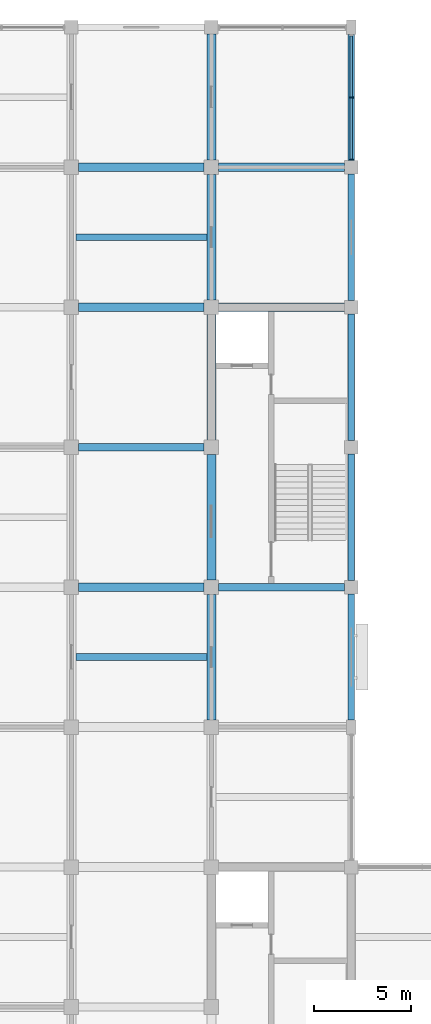
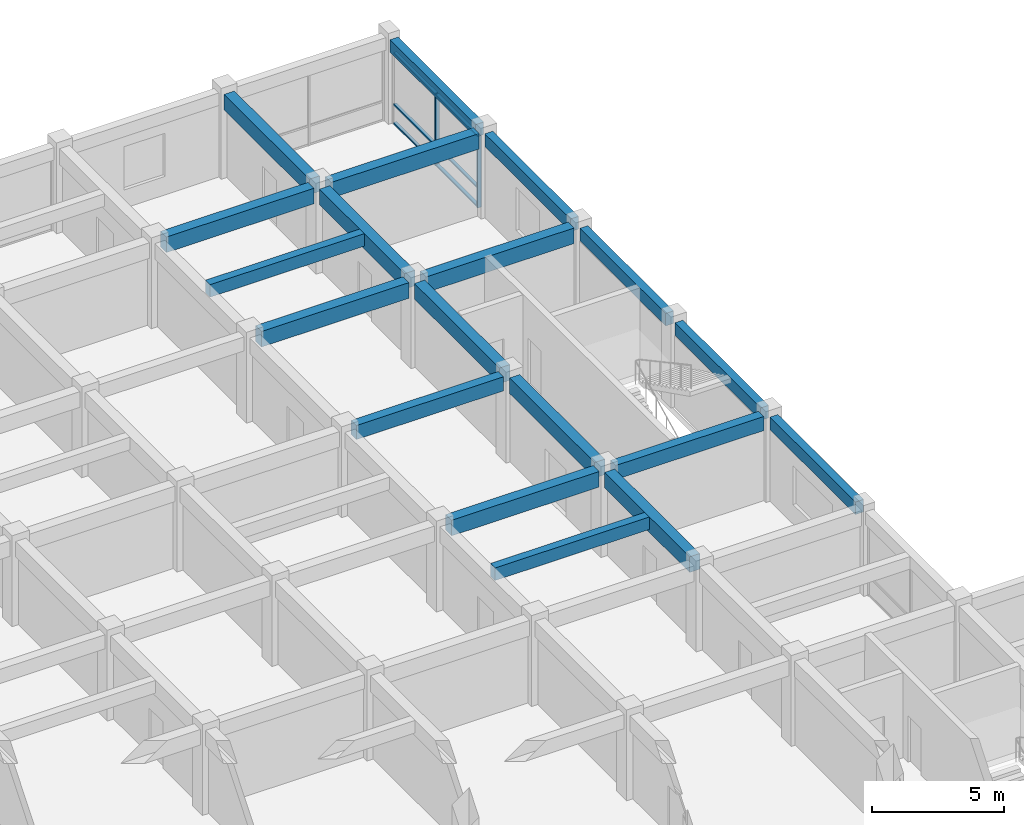
# One storey, part 11 of 31: 19 beams, 8 members, 1 element without a shape of its own.
"""IFC4 building model written with IfcOpenShell, lengths in metres."""

import ifcopenshell
import ifcopenshell.guid

model = None  # the IFC model being written
_history = None  # IfcOwnerHistory: only IFC2X3 demands one
_inside = {}  # id of a spatial element -> (the spatial element, [elements in it])
_under = {}  # id of a project, library or spatial element -> (it, [spatial elements below it])
_declared = {}  # id of a project -> (the project, [libraries it declares])
_typed = {}  # id of a type object -> (the type object, [elements of that type])
_made_of = {}  # id of a material, layer set ... -> (it, [elements and type objects made of it])


def new_model(schema):
    """Start an empty IFC model of exactly this schema.

    Asked for "IFC4X3", IfcOpenShell would pick the latest addendum, in which some entities
    have other attributes; the version numbers below select the first issue.
    IFC2X3 requires an IfcOwnerHistory on every rooted entity: one is made here for all.
    """
    global model, _history
    if schema == "IFC4X3":
        model = ifcopenshell.file(schema_version=(4, 3, 0, 0))
    else:
        model = ifcopenshell.file(schema=schema)
    _inside.clear()
    _under.clear()
    _declared.clear()
    _typed.clear()
    _made_of.clear()
    _history = None
    if model.schema == "IFC2X3":
        org = make("IfcOrganization", Name="unknown")
        user = make(
            "IfcPersonAndOrganization",
            ThePerson=make("IfcPerson", FamilyName="unknown"),
            TheOrganization=org,
        )
        app = make(
            "IfcApplication",
            ApplicationDeveloper=org,
            Version="unknown",
            ApplicationFullName="unknown",
            ApplicationIdentifier="unknown",
        )
        _history = make(
            "IfcOwnerHistory",
            OwningUser=user,
            OwningApplication=app,
            ChangeAction="ADDED",
            CreationDate=0,
        )
    return model


def make(cls, **values):
    """One entity of the class cls with the attributes given. An attribute that is None is left unset."""
    return model.create_entity(
        cls, **{name: value for name, value in values.items() if value is not None}
    )


def rooted(cls, **values):
    """An entity with a GlobalId (a new one), such as an element, a storey or a relation."""
    return make(cls, GlobalId=ifcopenshell.guid.new(), OwnerHistory=_history, **values)


def si_unit(unit_type, name, prefix=None):
    """IfcSIUnit, for example si_unit("LENGTHUNIT", "METRE", prefix="MILLI")."""
    return make("IfcSIUnit", UnitType=unit_type, Prefix=prefix, Name=name)


def assignment(units):
    """IfcUnitAssignment: the units of a project."""
    return None if units is None else make("IfcUnitAssignment", Units=units)


def point(xyz):
    """IfcCartesianPoint."""
    return None if xyz is None else make("IfcCartesianPoint", Coordinates=xyz)


def direction(xyz):
    """IfcDirection."""
    return None if xyz is None else make("IfcDirection", DirectionRatios=xyz)


def frame(location, z_axis=None, x_axis=None):
    """IfcAxis2Placement3D, a coordinate frame: its origin and axes. An axis left out is left unset."""
    return make(
        "IfcAxis2Placement3D",
        Location=point(location),
        Axis=direction(z_axis),
        RefDirection=direction(x_axis),
    )


def frame_2d(location, x_axis=None):
    """IfcAxis2Placement2D, a coordinate frame in the plane: its origin and x axis."""
    return make(
        "IfcAxis2Placement2D", Location=point(location), RefDirection=direction(x_axis)
    )


def origin():
    """The frame at (0, 0, 0) with its axes left unset."""
    return frame((0.0, 0.0, 0.0))


def origin_2d():
    """The frame at (0, 0) in the plane with its x axis left unset."""
    return frame_2d((0.0, 0.0))


def place(relative_to, where):
    """IfcLocalPlacement: puts the frame where relative to a parent placement (None: the world)."""
    return make(
        "IfcLocalPlacement", PlacementRelTo=relative_to, RelativePlacement=where
    )


def context(
    kind, dimensions, precision=None, world=None, true_north=None, identifier=None
):
    """IfcGeometricRepresentationContext, for example the 3D "Model" context."""
    return make(
        "IfcGeometricRepresentationContext",
        ContextIdentifier=identifier,
        ContextType=kind,
        CoordinateSpaceDimension=dimensions,
        Precision=precision,
        WorldCoordinateSystem=world,
        TrueNorth=true_north,
    )


def subcontext(parent, identifier, kind, view, scale=None):
    """IfcGeometricRepresentationSubContext, for example "Body" below "Model"."""
    return make(
        "IfcGeometricRepresentationSubContext",
        ContextIdentifier=identifier,
        ContextType=kind,
        ParentContext=parent,
        TargetScale=scale,
        TargetView=view,
    )


def project(units=None, contexts=None):
    """IfcProject with its units and contexts."""
    return rooted(
        "IfcProject",
        Name="project",
        RepresentationContexts=contexts,
        UnitsInContext=assignment(units),
    )


def spatial(cls, under=None, at=None, **own):
    """A site, building, storey or space (cls), placed at a placement, below another one or the project."""
    s = rooted(cls, ObjectPlacement=at, **own)
    if under is not None:
        _under.setdefault(under.id(), (under, []))[1].append(s)
    return s


def profile(cls, at=None, kind="AREA", **sizes):
    """A parametric profile (cls). Its sizes go by their IFC names, for example OverallWidth=200.0."""
    return make(cls, ProfileType=kind, Position=at, **sizes)


def rectangle(**sizes):
    """IfcRectangleProfileDef."""
    return profile("IfcRectangleProfileDef", **sizes)


def extrude(swept, where, along, depth):
    """IfcExtrudedAreaSolid: the profile swept, set in the frame where, extruded along a direction by depth."""
    return make(
        "IfcExtrudedAreaSolid",
        SweptArea=swept,
        Position=where,
        ExtrudedDirection=direction(along),
        Depth=depth,
    )


def shape(context_of_items, identifier, shape_type, items):
    """IfcShapeRepresentation: the items that make up one representation, for example the "Body"."""
    return make(
        "IfcShapeRepresentation",
        ContextOfItems=context_of_items,
        RepresentationIdentifier=identifier,
        RepresentationType=shape_type,
        Items=items,
    )


def material(Name=None, Category=None):
    """IfcMaterial."""
    return make("IfcMaterial", Name=Name, Category=Category)


def layer(
    of_material, thickness, ventilated=None, Name=None, Category=None, Priority=None
):
    """IfcMaterialLayer: one layer of a wall or slab, of a material (None: an air gap)."""
    return make(
        "IfcMaterialLayer",
        Material=of_material,
        LayerThickness=thickness,
        IsVentilated=ventilated,
        Name=Name,
        Category=Category,
        Priority=Priority,
    )


def layer_set(layers, Name=None):
    """IfcMaterialLayerSet."""
    return make("IfcMaterialLayerSet", MaterialLayers=layers, LayerSetName=Name)


def material_profile(
    of_material, cross_section, Name=None, Category=None, Priority=None
):
    """IfcMaterialProfile: a cross section and its material."""
    return make(
        "IfcMaterialProfile",
        Name=Name,
        Material=of_material,
        Profile=cross_section,
        Priority=Priority,
        Category=Category,
    )


def profile_set(profiles, Name=None, composite=None):
    """IfcMaterialProfileSet."""
    return make(
        "IfcMaterialProfileSet",
        Name=Name,
        MaterialProfiles=profiles,
        CompositeProfile=composite,
    )


def made_of(thing, what):
    """Note that an element or type object is made of a material, layer set ...; save() writes the relation."""
    if what is not None:
        _made_of.setdefault(what.id(), (what, []))[1].append(thing)
    return thing


def type_object(cls, material=None, **own):
    """A type object (cls), such as IfcWallType, which elements share."""
    return made_of(rooted(cls, **own), material)


def element(
    cls,
    number,
    at=None,
    inside=None,
    cuts=None,
    type_object=None,
    material=None,
    context=None,
    identifier="Body",
    shape_type=None,
    held_by="IfcProductDefinitionShape",
    body=None,
    shapes=None,
    **own,
):
    """One element of the class cls, such as IfcWall. Its Tag is "e" and its number.

    at: its placement. inside: the storey or other place that contains it. cuts: it is an
    opening in that element (IfcRelVoidsElement). A single representation is given by context,
    identifier, shape_type and body (its items); several are given by shapes. held_by: the class
    of the entity that holds the representations. save() writes the other relations.
    """
    e = rooted(cls, Tag="e%d" % number, ObjectPlacement=at, **own)
    if body is not None:
        shapes = [shape(context, identifier, shape_type, body)]
    if shapes is not None:
        e.Representation = make(held_by, Representations=shapes)
    if inside is not None:
        _inside.setdefault(inside.id(), (inside, []))[1].append(e)
    if cuts is not None:
        rooted(
            "IfcRelVoidsElement", RelatingBuildingElement=cuts, RelatedOpeningElement=e
        )
    if type_object is not None:
        _typed.setdefault(type_object.id(), (type_object, []))[1].append(e)
    return made_of(e, material)


def aggregate(whole, parts):
    """IfcRelAggregates: a whole, such as a stair, and the parts it consists of."""
    return rooted("IfcRelAggregates", RelatingObject=whole, RelatedObjects=parts)


def save(model, path):
    """Write the relations noted so far, then the file.

    IfcRelAggregates (storeys below a building ...), IfcRelContainedInSpatialStructure (elements
    in a storey), IfcRelDefinesByType, IfcRelAssociatesMaterial and IfcRelDeclares: one each for
    every whole, place, type object, material and project.
    """
    for whole, parts in _under.values():
        aggregate(whole, parts)
    for where, things in _inside.values():
        rooted(
            "IfcRelContainedInSpatialStructure",
            RelatedElements=things,
            RelatingStructure=where,
        )
    for kind, things in _typed.values():
        rooted("IfcRelDefinesByType", RelatedObjects=things, RelatingType=kind)
    for what, things in _made_of.values():
        rooted("IfcRelAssociatesMaterial", RelatedObjects=things, RelatingMaterial=what)
    for by, libraries in _declared.values():
        rooted("IfcRelDeclares", RelatingContext=by, RelatedDefinitions=libraries)
    model.write(path)


model = new_model("IFC4")

# Units and contexts
model_context = context("Model", 3, precision=1e-05, world=origin(), true_north=direction((0.0, 1.0)))
body_context = subcontext(model_context, "Body", "Model", "MODEL_VIEW")
ifc_project = project(units=[si_unit("LENGTHUNIT", "METRE"), si_unit("AREAUNIT", "SQUARE_METRE"), si_unit("VOLUMEUNIT", "CUBIC_METRE"), si_unit("PLANEANGLEUNIT", "RADIAN"), si_unit("MASSUNIT", "GRAM", prefix="KILO")], contexts=[model_context])

# Site, building, storey
site_placement = place(None, origin())
site = spatial("IfcSite", under=ifc_project, at=site_placement, CompositionType="ELEMENT")
building_placement = place(site_placement, origin())
building = spatial("IfcBuilding", under=site, at=building_placement, Name="Cendaluz Park School", CompositionType="ELEMENT")
storey_placement = place(building_placement, frame((0.0, 0.0, 14.39990234375)))
storey = spatial("IfcBuildingStorey", under=building, at=storey_placement, Name="L03", CompositionType="ELEMENT", Elevation=14.39990234375)

# Beams
ifc_material_1 = material(Name="Concrete C40/50", Category="concrete")
ifc_material_profile_1 = material_profile(ifc_material_1, rectangle(XDim=0.449951171875, YDim=0.719970703125, at=origin_2d()), Name="RC 450x720", Category="concrete")
ifc_profile_set_1 = profile_set([ifc_material_profile_1], Name="Concrete C40/50")
beam_type_1 = type_object("IfcBeamType", Name="BM-RC02", PredefinedType="BEAM", material=ifc_profile_set_1)
for number, where, z_axis, x_axis, name in (
    (1, (93.97509765625, 43.199951171875, 3.530029296875), (1.0, 0.0, 0.0), (0.0, 1.0, 0.0), "BM-L03-BMRC02-0071"),
    (2, (93.97509765625, 57.60009765625, 3.530029296875), (1.0, 0.0, 0.0), (0.0, 1.0, 0.0), "BM-L03-BMRC02-0073"),
    (3, (93.97509765625, 64.800048828125, 3.530029296875), (1.0, 0.0, 0.0), (0.0, 1.0, 0.0), "BM-L03-BMRC02-0074"),
):
    element("IfcBeam", number, at=place(storey_placement, frame(where, z_axis=z_axis, x_axis=x_axis)), inside=storey, type_object=beam_type_1, Name=name, PredefinedType="BEAM", context=body_context, shape_type="SweptSolid", body=[
        extrude(rectangle(XDim=0.449951171875, YDim=0.719970703125, at=origin_2d()), origin(), (0.0, 0.0, 1.0), 6.449951171875),
    ])
for number, where, z_axis, x_axis, name in (
    (4, (101.175048828125, 57.60009765625, 3.530029296875), (1.0, 0.0, 0.0), (0.0, 1.0, 0.0), "BM-L03-BMRC02-0081"),
    (5, (101.175048828125, 64.800048828125, 3.530029296875), (1.0, 0.0, 0.0), (0.0, 1.0, 0.0), "BM-L03-BMRC02-0082"),
):
    element("IfcBeam", number, at=place(storey_placement, frame(where, z_axis=z_axis, x_axis=x_axis)), inside=storey, type_object=beam_type_1, Name=name, PredefinedType="BEAM", context=body_context, shape_type="SweptSolid", body=[
        extrude(rectangle(XDim=0.449951171875, YDim=0.719970703125, at=origin_2d()), origin(), (0.0, 0.0, 1.0), 6.474853515625),
    ])
for number, where, z_axis, x_axis, name in (
    (6, (100.800048828125, 36.375, 3.530029296875), (0.0, 1.0, 0.0), (-1.0, 0.0, 0.0), "BM-L03-BMRC02-0181"),
    (7, (100.800048828125, 43.574951171875, 3.530029296875), (0.0, 1.0, 0.0), (-1.0, 0.0, 0.0), "BM-L03-BMRC02-0182"),
):
    element("IfcBeam", number, at=place(storey_placement, frame(where, z_axis=z_axis, x_axis=x_axis)), inside=storey, type_object=beam_type_1, Name=name, PredefinedType="BEAM", context=body_context, shape_type="SweptSolid", body=[
        extrude(rectangle(XDim=0.449951171875, YDim=0.719970703125, at=origin_2d()), origin(), (0.0, 0.0, 1.0), 6.449951171875),
    ])
beam_1_placement = place(storey_placement, frame((100.800048828125, 50.77490234375, 3.530029296875), z_axis=(0.0, 1.0, 0.0), x_axis=(-1.0, 0.0, 0.0)))
element("IfcBeam", 8, at=beam_1_placement, inside=storey, type_object=beam_type_1, Name="BM-L03-BMRC02-0183", PredefinedType="BEAM", context=body_context, shape_type="SweptSolid", body=[
    extrude(rectangle(XDim=0.449951171875, YDim=0.719970703125, at=origin_2d()), origin(), (0.0, 0.0, 1.0), 6.4501953125),
])
beam_2_placement = place(storey_placement, frame((100.800048828125, 57.97509765625, 3.530029296875), z_axis=(0.0, 1.0, 0.0), x_axis=(-1.0, 0.0, 0.0)))
element("IfcBeam", 9, at=beam_2_placement, inside=storey, type_object=beam_type_1, Name="BM-L03-BMRC02-0184", PredefinedType="BEAM", context=body_context, shape_type="SweptSolid", body=[
    extrude(rectangle(XDim=0.449951171875, YDim=0.719970703125, at=origin_2d()), origin(), (0.0, 0.0, 1.0), 6.449951171875),
])
beam_3_placement = place(storey_placement, frame((100.800048828125, 65.175048828125, 3.530029296875), z_axis=(0.0, 1.0, 0.0), x_axis=(-1.0, 0.0, 0.0)))
element("IfcBeam", 10, at=beam_3_placement, inside=storey, type_object=beam_type_1, Name="BM-L03-BMRC02-0185", PredefinedType="BEAM", context=body_context, shape_type="SweptSolid", body=[
    extrude(rectangle(XDim=0.449951171875, YDim=0.719970703125, at=origin_2d()), origin(), (0.0, 0.0, 1.0), 6.474853515625),
])
ifc_material_profile_2 = material_profile(ifc_material_1, rectangle(XDim=0.39990234375, YDim=0.64990234375, at=origin_2d()), Name="RC 400x650", Category="concrete")
ifc_profile_set_2 = profile_set([ifc_material_profile_2], Name="Concrete C40/50")
beam_type_2 = type_object("IfcBeamType", Name="BM-RC03", PredefinedType="T_BEAM", material=ifc_profile_set_2)
beam_4_placement = place(storey_placement, frame((93.97509765625, 50.39990234375, 3.565185546875), z_axis=(1.0, 0.0, 0.0), x_axis=(0.0, 1.0, 0.0)))
element("IfcBeam", 11, at=beam_4_placement, inside=storey, type_object=beam_type_2, Name="BM-L03-BMRC03-0072", PredefinedType="T_BEAM", context=body_context, shape_type="SweptSolid", body=[
    extrude(rectangle(XDim=0.39990234375, YDim=0.64990234375, at=origin_2d()), origin(), (0.0, 0.0, 1.0), 6.449951171875),
])
beam_5_placement = place(storey_placement, frame((101.175048828125, 43.199951171875, 3.565185546875), z_axis=(1.0, 0.0, 0.0), x_axis=(0.0, 1.0, 0.0)))
element("IfcBeam", 12, at=beam_5_placement, inside=storey, type_object=beam_type_2, Name="BM-L03-BMRC03-0080", PredefinedType="T_BEAM", context=body_context, shape_type="SweptSolid", body=[
    extrude(rectangle(XDim=0.39990234375, YDim=0.64990234375, at=origin_2d()), origin(), (0.0, 0.0, 1.0), 6.474853515625),
])
ifc_material_profile_3 = material_profile(ifc_material_1, rectangle(XDim=0.35009765625, YDim=0.580078125, at=origin_2d()), Name="RC 350x580", Category="concrete")
ifc_profile_set_3 = profile_set([ifc_material_profile_3], Name="Concrete C40/50")
beam_type_3 = type_object("IfcBeamType", Name="BM-RC04", PredefinedType="LINTEL", material=ifc_profile_set_3)
beam_6_placement = place(storey_placement, frame((108.0, 36.375, 3.60009765625), z_axis=(0.0, 1.0, 0.0), x_axis=(-1.0, 0.0, 0.0)))
element("IfcBeam", 13, at=beam_6_placement, inside=storey, type_object=beam_type_3, Name="BM-L03-BMRC04-0190", PredefinedType="LINTEL", context=body_context, shape_type="SweptSolid", body=[
    extrude(rectangle(XDim=0.35009765625, YDim=0.580078125, at=origin_2d()), origin(), (0.0, 0.0, 1.0), 6.47509765625),
])
for number, where, z_axis, x_axis, name in (
    (14, (108.0, 43.550048828125, 3.60009765625), (0.0, 1.0, 0.0), (-1.0, 0.0, 0.0), "BM-L03-BMRC04-0191"),
    (15, (108.0, 50.75, 3.60009765625), (0.0, 1.0, 0.0), (-1.0, 0.0, 0.0), "BM-L03-BMRC04-0192"),
    (16, (108.0, 57.949951171875, 3.60009765625), (0.0, 1.0, 0.0), (-1.0, 0.0, 0.0), "BM-L03-BMRC04-0193"),
):
    element("IfcBeam", number, at=place(storey_placement, frame(where, z_axis=z_axis, x_axis=x_axis)), inside=storey, type_object=beam_type_3, Name=name, PredefinedType="LINTEL", context=body_context, shape_type="SweptSolid", body=[
        extrude(rectangle(XDim=0.35009765625, YDim=0.580078125, at=origin_2d()), origin(), (0.0, 0.0, 1.0), 6.5),
    ])
beam_7_placement = place(storey_placement, frame((108.0, 65.14990234375, 3.60009765625), z_axis=(0.0, 1.0, 0.0), x_axis=(-1.0, 0.0, 0.0)))
element("IfcBeam", 17, at=beam_7_placement, inside=storey, type_object=beam_type_3, Name="BM-L03-BMRC04-0194", PredefinedType="LINTEL", context=body_context, shape_type="SweptSolid", body=[
    extrude(rectangle(XDim=0.35009765625, YDim=0.580078125, at=origin_2d()), origin(), (0.0, 0.0, 1.0), 6.47509765625),
])

# Curtain wall, members
ifc_material_2 = material(Name="Anodised Aluminium 6063-T6", Category="aluminium")
ifc_layer = layer(ifc_material_2, 0.179931640625)
ifc_layer_set = layer_set([ifc_layer], Name="Anodised Aluminium 6063-T6")
curtain_wall_type = type_object("IfcCurtainWallType", Name="CW-130x66", PredefinedType="NOTDEFINED", material=ifc_layer_set)
curtain_wall_placement = place(storey_placement, origin())
curtain_wall = element("IfcCurtainWall", 18, at=curtain_wall_placement, inside=storey, type_object=curtain_wall_type, Name="CW-L03-151", PredefinedType="NOTDEFINED")
ifc_material_profile_4 = material_profile(ifc_material_2, rectangle(XDim=0.179931640625, YDim=0.070068359375, at=origin_2d()), Name="CWM 180x70", Category="aluminium")
ifc_profile_set_4 = profile_set([ifc_material_profile_4], Name="Anodised Aluminium 6063-T6")
member_type_1 = type_object("IfcMemberType", Name="CWM-01", PredefinedType="MULLION", material=ifc_profile_set_4)
member_1_placement = place(storey_placement, frame((108.0, 65.18505859375, 0.0), z_axis=(0.0, 0.0, 1.0), x_axis=(-1.0, 0.0, 0.0)))
member_1 = element("IfcMember", 19, at=member_1_placement, type_object=member_type_1, Name="CP-L03-1951", PredefinedType="MULLION", context=body_context, shape_type="SweptSolid", body=[
    extrude(rectangle(XDim=0.179931640625, YDim=0.070068359375, at=origin_2d()), origin(), (0.0, 0.0, 1.0), 3.31005859375),
])
member_2_placement = place(storey_placement, frame((108.0, 68.387451171875, 0.0), z_axis=(0.0, 0.0, 1.0), x_axis=(-1.0, 0.0, 0.0)))
member_2 = element("IfcMember", 20, at=member_2_placement, type_object=member_type_1, Name="CP-L03-1952", PredefinedType="MULLION", context=body_context, shape_type="SweptSolid", body=[
    extrude(rectangle(XDim=0.179931640625, YDim=0.070068359375, at=origin_2d()), origin(), (0.0, 0.0, 1.0), 3.31005859375),
])
ifc_material_profile_5 = material_profile(ifc_material_2, rectangle(XDim=0.139892578125, YDim=0.070068359375, at=origin_2d()), Name="CWT 140x70", Category="aluminium")
ifc_profile_set_5 = profile_set([ifc_material_profile_5], Name="Anodised Aluminium 6063-T6")
member_type_2 = type_object("IfcMemberType", Name="CWT-01", PredefinedType="USERDEFINED", material=ifc_profile_set_5)
member_3_placement = place(storey_placement, frame((108.0, 65.219970703125, 0.03515625), z_axis=(0.0, 1.0, 0.0), x_axis=(-1.0, 0.0, 0.0)))
member_3 = element("IfcMember", 21, at=member_3_placement, type_object=member_type_2, Name="CP-L03-1954", ObjectType="TRANSOM", PredefinedType="USERDEFINED", context=body_context, shape_type="SweptSolid", body=[
    extrude(rectangle(XDim=0.139892578125, YDim=0.070068359375, at=origin_2d()), origin(), (0.0, 0.0, 1.0), 3.132568359375),
])
member_4_placement = place(storey_placement, frame((108.0, 65.219970703125, 0.900146484375), z_axis=(0.0, 1.0, 0.0), x_axis=(-1.0, 0.0, 0.0)))
member_4 = element("IfcMember", 22, at=member_4_placement, type_object=member_type_2, Name="CP-L03-1955", ObjectType="TRANSOM", PredefinedType="USERDEFINED", context=body_context, shape_type="SweptSolid", body=[
    extrude(rectangle(XDim=0.139892578125, YDim=0.070068359375, at=origin_2d()), origin(), (0.0, 0.0, 1.0), 3.132568359375),
])
member_5_placement = place(storey_placement, frame((108.0, 65.219970703125, 3.275146484375), z_axis=(0.0, 1.0, 0.0), x_axis=(-1.0, 0.0, 0.0)))
member_5 = element("IfcMember", 23, at=member_5_placement, type_object=member_type_2, Name="CP-L03-1956", ObjectType="TRANSOM", PredefinedType="USERDEFINED", context=body_context, shape_type="SweptSolid", body=[
    extrude(rectangle(XDim=0.139892578125, YDim=0.070068359375, at=origin_2d()), origin(), (0.0, 0.0, 1.0), 3.132568359375),
])
member_6_placement = place(storey_placement, frame((108.0, 68.422607421875, 0.03515625), z_axis=(0.0, 1.0, 0.0), x_axis=(-1.0, 0.0, 0.0)))
member_6 = element("IfcMember", 24, at=member_6_placement, type_object=member_type_2, Name="CP-L03-1959", ObjectType="TRANSOM", PredefinedType="USERDEFINED", context=body_context, shape_type="SweptSolid", body=[
    extrude(rectangle(XDim=0.139892578125, YDim=0.070068359375, at=origin_2d()), origin(), (0.0, 0.0, 1.0), 3.13232421875),
])
member_7_placement = place(storey_placement, frame((108.0, 68.422607421875, 0.900146484375), z_axis=(0.0, 1.0, 0.0), x_axis=(-1.0, 0.0, 0.0)))
member_7 = element("IfcMember", 25, at=member_7_placement, type_object=member_type_2, Name="CP-L03-1960", ObjectType="TRANSOM", PredefinedType="USERDEFINED", context=body_context, shape_type="SweptSolid", body=[
    extrude(rectangle(XDim=0.139892578125, YDim=0.070068359375, at=origin_2d()), origin(), (0.0, 0.0, 1.0), 3.13232421875),
])
member_8_placement = place(storey_placement, frame((108.0, 68.422607421875, 3.275146484375), z_axis=(0.0, 1.0, 0.0), x_axis=(-1.0, 0.0, 0.0)))
member_8 = element("IfcMember", 26, at=member_8_placement, type_object=member_type_2, Name="CP-L03-1961", ObjectType="TRANSOM", PredefinedType="USERDEFINED", context=body_context, shape_type="SweptSolid", body=[
    extrude(rectangle(XDim=0.139892578125, YDim=0.070068359375, at=origin_2d()), origin(), (0.0, 0.0, 1.0), 3.13232421875),
])
aggregate(curtain_wall, [member_1, member_2, member_3, member_4, member_5, member_6, member_7, member_8])

# Beams
ifc_material_profile_6 = material_profile(ifc_material_1, rectangle(XDim=0.35009765625, YDim=0.580078125, at=origin_2d()), Name="RC 350x580", Category="concrete")
ifc_profile_set_6 = profile_set([ifc_material_profile_6], Name="Concrete C40/50")
beam_type_4 = type_object("IfcBeamType", Name="JT-RC01", PredefinedType="JOIST", material=ifc_profile_set_6)
for number, where, z_axis, x_axis, name in (
    (27, (93.824951171875, 39.60009765625, 3.60009765625), (1.0, 0.0, 0.0), (0.0, 1.0, 0.0), "BM-L03-JTRC01-0234"),
    (28, (93.824951171875, 61.199951171875, 3.60009765625), (1.0, 0.0, 0.0), (0.0, 1.0, 0.0), "BM-L03-JTRC01-0235"),
):
    element("IfcBeam", number, at=place(storey_placement, frame(where, z_axis=z_axis, x_axis=x_axis)), inside=storey, type_object=beam_type_4, Name=name, PredefinedType="JOIST", context=body_context, shape_type="SweptSolid", body=[
        extrude(rectangle(XDim=0.35009765625, YDim=0.580078125, at=origin_2d()), origin(), (0.0, 0.0, 1.0), 6.75),
    ])

save(model, "model.ifc")
